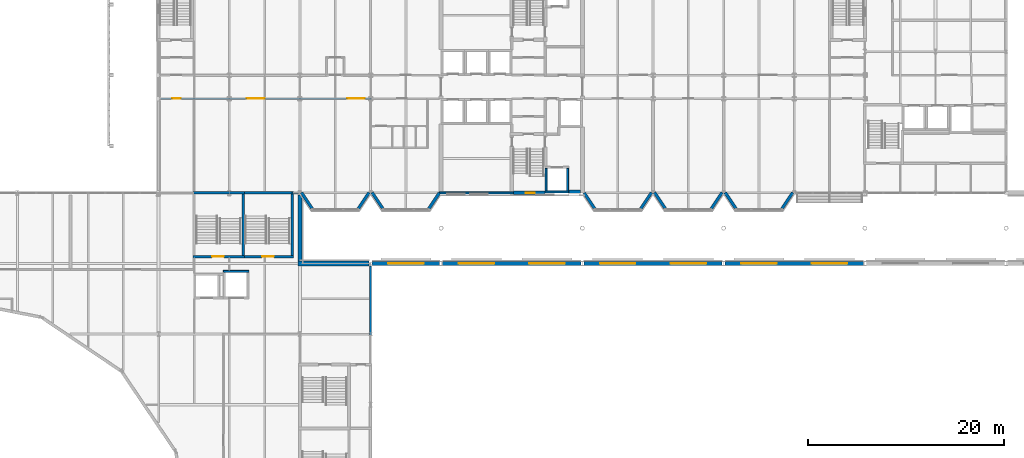
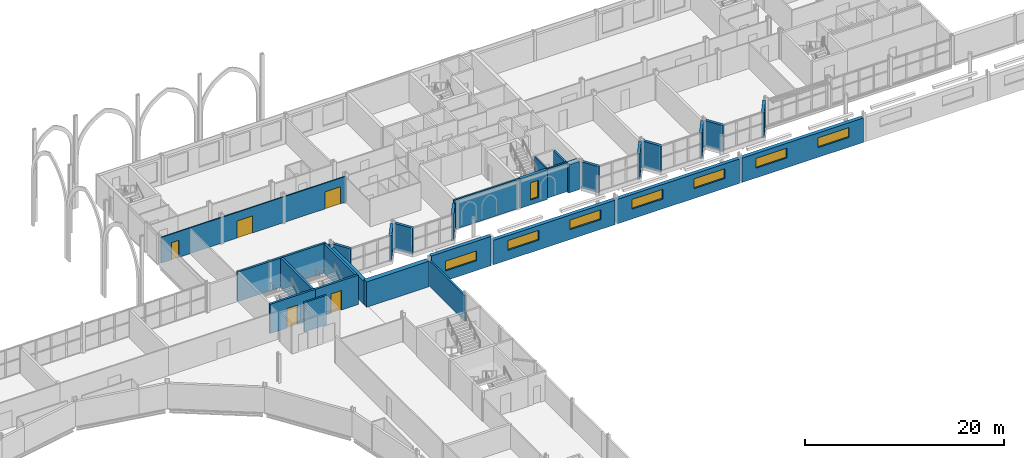
# One storey, part 73 of 124: 32 walls, 8 windows, 5 doors, 13 openings.
"""IFC4 building model written with IfcOpenShell, lengths in metres."""

from ifc_helpers import new_model, si_unit, direction, frame, frame_2d, origin, place, context, subcontext, project, spatial, rectangle, extrude, material, layer, layer_set, type_object, element, fill, save


model = new_model("IFC4")

# Units and contexts
model_context = context("Model", 3, precision=1e-05, world=origin(), true_north=direction((0.0, 1.0)))
body_context = subcontext(model_context, "Body", "Model", "MODEL_VIEW")
ifc_project = project(units=[si_unit("LENGTHUNIT", "METRE"), si_unit("AREAUNIT", "SQUARE_METRE"), si_unit("VOLUMEUNIT", "CUBIC_METRE"), si_unit("PLANEANGLEUNIT", "RADIAN"), si_unit("MASSUNIT", "GRAM", prefix="KILO")], contexts=[model_context])

# Site, building, storey
site_placement = place(None, origin())
site = spatial("IfcSite", under=ifc_project, at=site_placement, CompositionType="ELEMENT")
building_placement = place(site_placement, origin())
building = spatial("IfcBuilding", under=site, at=building_placement, Name="Kupolbacken Congress Centre", CompositionType="ELEMENT")
storey_placement = place(building_placement, frame((0.0, 0.0, 10.800048828125)))
storey = spatial("IfcBuildingStorey", under=building, at=storey_placement, Name="L03", CompositionType="ELEMENT", Elevation=10.800048828125)

# Walls
ifc_material_1 = material(Name="Limestone", Category="masonry")
ifc_layer_1 = layer(ifc_material_1, 0.06005859375)
ifc_material_2 = material(Name="Air cavity", Category="air")
ifc_layer_2 = layer(ifc_material_2, 0.0400390625, ventilated=True)
ifc_material_3 = material(Name="Mineral wool", Category="insulation")
ifc_layer_3 = layer(ifc_material_3, 0.14990234375)
ifc_material_4 = material(Name="Steel studs", Category="metal")
ifc_layer_4 = layer(ifc_material_4, 0.050048828125)
ifc_layer_set_1 = layer_set([ifc_layer_1, ifc_layer_2, ifc_layer_3, ifc_layer_4], Name="Limestone / Mineral wool / Steel studs")
wall_type_1 = type_object("IfcWallType", Name="EW01 external cavity wall 300", PredefinedType="SOLIDWALL", material=ifc_layer_set_1)
for number, where, z_axis, x_axis, name in (
    (1, (79.353515625, 122.440185546875, 0.0), (0.0, 0.0, 1.0), (0.554700196225, -0.832050294338, 0.0), "E/T/cumba/L03/S/003/facW"),
    (2, (86.24658203125, 122.440185546875, 0.0), (0.0, 0.0, 1.0), (-0.554700196225, -0.832050294338, 0.0), "E/T/cumba/L03/S/003/facE"),
    (3, (86.553466796875, 122.440185546875, 0.0), (0.0, 0.0, 1.0), (0.554700196225, -0.832050294338, 0.0), "E/T/cumba/L03/S/007/facW"),
):
    element("IfcWall", number, at=place(storey_placement, frame(where, z_axis=z_axis, x_axis=x_axis)), inside=storey, type_object=wall_type_1, Name=name, PredefinedType="SOLIDWALL", context=body_context, shape_type="SweptSolid", body=[
        extrude(rectangle(XDim=2.11181640625, YDim=0.300048828125, at=frame_2d((1.055908203125, 0.0))), origin(), (0.0, 0.0, 1.0), 3.219970703125),
    ])
for number, where, z_axis, x_axis, name in (
    (4, (93.419677734375, 122.39990234375, 0.0), (0.0, 0.0, 1.0), (-0.554700196225, -0.832050294338, 0.0), "E/T/cumba/L03/S/007/facE"),
    (5, (108.180419921875, 122.39990234375, 0.0), (0.0, 0.0, 1.0), (0.554618271946, -0.832104904699, 0.0), "E/T/cumba/L03/S/011/facW"),
):
    element("IfcWall", number, at=place(storey_placement, frame(where, z_axis=z_axis, x_axis=x_axis)), inside=storey, type_object=wall_type_1, Name=name, PredefinedType="SOLIDWALL", context=body_context, shape_type="SweptSolid", body=[
        extrude(rectangle(XDim=2.063232421875, YDim=0.300048828125, at=frame_2d((1.03173828125, 0.0))), origin(), (0.0, 0.0, 1.0), 3.219970703125),
    ])
wall_1_placement = place(storey_placement, frame((115.04638671875, 122.440185546875, 0.0), z_axis=(0.0, 0.0, 1.0), x_axis=(-0.554620150341, -0.8321036527, 0.0)))
element("IfcWall", 6, at=wall_1_placement, inside=storey, type_object=wall_type_1, Name="E/T/cumba/L03/S/011/facE", PredefinedType="SOLIDWALL", context=body_context, shape_type="SweptSolid", body=[
    extrude(rectangle(XDim=2.111572265625, YDim=0.300048828125, at=frame_2d((1.0556640625, 0.0))), origin(), (0.0, 0.0, 1.0), 3.219970703125),
])
for number, where, z_axis, x_axis, name in (
    (7, (115.353515625, 122.440185546875, 0.0), (0.0, 0.0, 1.0), (0.554700196225, -0.832050294338, 0.0), "E/T/cumba/L03/S/015/facW"),
    (8, (122.24658203125, 122.440185546875, 0.0), (0.0, 0.0, 1.0), (-0.554700196225, -0.832050294338, 0.0), "E/T/cumba/L03/S/015/facE"),
    (9, (122.553466796875, 122.440185546875, 0.0), (0.0, 0.0, 1.0), (0.554700196225, -0.832050294338, 0.0), "E/T/cumba/L03/S/019/facW"),
    (10, (129.446533203125, 122.440185546875, 0.0), (0.0, 0.0, 1.0), (-0.554700196225, -0.832050294338, 0.0), "E/T/cumba/L03/S/019/facE"),
):
    element("IfcWall", number, at=place(storey_placement, frame(where, z_axis=z_axis, x_axis=x_axis)), inside=storey, type_object=wall_type_1, Name=name, PredefinedType="SOLIDWALL", context=body_context, shape_type="SweptSolid", body=[
        extrude(rectangle(XDim=2.11181640625, YDim=0.300048828125, at=frame_2d((1.055908203125, 0.0))), origin(), (0.0, 0.0, 1.0), 3.219970703125),
    ])

# Wall, openings, windows
ifc_material_5 = material(Name="Brick", Category="masonry")
ifc_layer_5 = layer(ifc_material_5, 0.10791015625)
ifc_layer_6 = layer(ifc_material_2, 0.0400390625, ventilated=True)
ifc_layer_7 = layer(ifc_material_3, 0.152099609375)
ifc_material_6 = material(Name="Concrete block", Category="masonry")
ifc_layer_8 = layer(ifc_material_6, 0.1201171875)
ifc_layer_set_2 = layer_set([ifc_layer_5, ifc_layer_6, ifc_layer_7, ifc_layer_8], Name="Brick / Mineral wool / Concrete block")
wall_type_2 = type_object("IfcWallType", Name="EW04 external cavity wall 420", PredefinedType="SOLIDWALL", material=ifc_layer_set_2)
wall_2_placement = place(storey_placement, frame((136.64990234375, 115.199951171875, 0.0), z_axis=(0.0, 0.0, 1.0), x_axis=(-1.0, 0.0, 0.0)))
wall_2 = element("IfcWall", 11, at=wall_2_placement, inside=storey, type_object=wall_type_2, Name="E/H/N/L03/358", PredefinedType="SOLIDWALL", context=body_context, shape_type="SweptSolid", body=[
    extrude(rectangle(XDim=14.099853515625, YDim=0.419921875, at=frame_2d((7.0498046875, 0.0))), origin(), (0.0, 0.0, 1.0), 2.9990234375),
])
opening_1_placement = place(wall_2_placement, frame((8.85009765625, 0.0, 1.199951171875)))
opening_1 = element("IfcOpeningElement", 12, at=opening_1_placement, cuts=wall_2, Name="Opening W12", PredefinedType="OPENING", context=body_context, shape_type="SweptSolid", body=[
    extrude(rectangle(XDim=3.60009765625, YDim=1.199951171875, at=frame_2d((1.800048828125, 0.60009765625))), frame((0.0, 0.219970703125, 0.0), z_axis=(0.0, -1.0, 0.0), x_axis=(1.0, 0.0, 0.0)), (0.0, 0.0, 1.0), 0.43994140625),
])
opening_2_placement = place(wall_2_placement, frame((1.64990234375, 0.0, 1.199951171875)))
opening_2 = element("IfcOpeningElement", 13, at=opening_2_placement, cuts=wall_2, Name="Opening W12", PredefinedType="OPENING", context=body_context, shape_type="SweptSolid", body=[
    extrude(rectangle(XDim=3.60009765625, YDim=1.199951171875, at=frame_2d((1.800048828125, 0.60009765625))), frame((0.0, 0.219970703125, 0.0), z_axis=(0.0, -1.0, 0.0), x_axis=(1.0, 0.0, 0.0)), (0.0, 0.0, 1.0), 0.43994140625),
])
ifc_material_7 = material(Name="Aluminium frame with double or triple glazing", Category="aluminium")
window_type_1 = type_object("IfcWindowType", Name="W12 window 3600x1200", PartitioningType="TRIPLE_PANEL_VERTICAL", PredefinedType="WINDOW", material=ifc_material_7)
window_1_placement = place(opening_1_placement, origin())
window_1 = element("IfcWindow", 14, at=window_1_placement, inside=storey, type_object=window_type_1, Name="E/H/N/L03/358/W1", OverallHeight=1.199951171875, OverallWidth=3.60009765625, PartitioningType="SINGLE_PANEL", PredefinedType="WINDOW", context=body_context, shape_type="SweptSolid", body=[
    extrude(rectangle(XDim=3.60009765625, YDim=1.199951171875, at=frame_2d((1.800048828125, 0.60009765625))), frame((0.0, 0.030029296875, 0.0), z_axis=(0.0, -1.0, 0.0), x_axis=(1.0, 0.0, 0.0)), (0.0, 0.0, 1.0), 0.06005859375),
])
fill(opening_1, window_1)
window_2_placement = place(opening_2_placement, origin())
window_2 = element("IfcWindow", 15, at=window_2_placement, inside=storey, type_object=window_type_1, Name="E/H/N/L03/358/W2", OverallHeight=1.199951171875, OverallWidth=3.60009765625, PartitioningType="SINGLE_PANEL", PredefinedType="WINDOW", context=body_context, shape_type="SweptSolid", body=[
    extrude(rectangle(XDim=3.60009765625, YDim=1.199951171875, at=frame_2d((1.800048828125, 0.60009765625))), frame((0.0, 0.030029296875, 0.0), z_axis=(0.0, -1.0, 0.0), x_axis=(1.0, 0.0, 0.0)), (0.0, 0.0, 1.0), 0.06005859375),
])
fill(opening_2, window_2)

wall_3_placement = place(storey_placement, frame((122.25, 115.199951171875, 0.0), z_axis=(0.0, 0.0, 1.0), x_axis=(-1.0, 0.0, 0.0)))
wall_3 = element("IfcWall", 16, at=wall_3_placement, inside=storey, type_object=wall_type_2, Name="E/H/N/L03/359", PredefinedType="SOLIDWALL", context=body_context, shape_type="SweptSolid", body=[
    extrude(rectangle(XDim=14.10009765625, YDim=0.419921875, at=frame_2d((7.050048828125, 0.0))), origin(), (0.0, 0.0, 1.0), 2.9990234375),
])
opening_3_placement = place(wall_3_placement, frame((8.85009765625, 0.0, 1.199951171875)))
opening_3 = element("IfcOpeningElement", 17, at=opening_3_placement, cuts=wall_3, Name="Opening W12", PredefinedType="OPENING", context=body_context, shape_type="SweptSolid", body=[
    extrude(rectangle(XDim=3.60009765625, YDim=1.199951171875, at=frame_2d((1.800048828125, 0.60009765625))), frame((0.0, 0.219970703125, 0.0), z_axis=(0.0, -1.0, 0.0), x_axis=(1.0, 0.0, 0.0)), (0.0, 0.0, 1.0), 0.43994140625),
])
opening_4_placement = place(wall_3_placement, frame((1.64990234375, 0.0, 1.199951171875)))
opening_4 = element("IfcOpeningElement", 18, at=opening_4_placement, cuts=wall_3, Name="Opening W12", PredefinedType="OPENING", context=body_context, shape_type="SweptSolid", body=[
    extrude(rectangle(XDim=3.60009765625, YDim=1.199951171875, at=frame_2d((1.800048828125, 0.60009765625))), frame((0.0, 0.219970703125, 0.0), z_axis=(0.0, -1.0, 0.0), x_axis=(1.0, 0.0, 0.0)), (0.0, 0.0, 1.0), 0.43994140625),
])
window_3_placement = place(opening_3_placement, origin())
window_3 = element("IfcWindow", 19, at=window_3_placement, inside=storey, type_object=window_type_1, Name="E/H/N/L03/359/W1", OverallHeight=1.199951171875, OverallWidth=3.60009765625, PartitioningType="SINGLE_PANEL", PredefinedType="WINDOW", context=body_context, shape_type="SweptSolid", body=[
    extrude(rectangle(XDim=3.60009765625, YDim=1.199951171875, at=frame_2d((1.800048828125, 0.60009765625))), frame((0.0, 0.030029296875, 0.0), z_axis=(0.0, -1.0, 0.0), x_axis=(1.0, 0.0, 0.0)), (0.0, 0.0, 1.0), 0.06005859375),
])
fill(opening_3, window_3)
window_4_placement = place(opening_4_placement, origin())
window_4 = element("IfcWindow", 20, at=window_4_placement, inside=storey, type_object=window_type_1, Name="E/H/N/L03/359/W2", OverallHeight=1.199951171875, OverallWidth=3.60009765625, PartitioningType="SINGLE_PANEL", PredefinedType="WINDOW", context=body_context, shape_type="SweptSolid", body=[
    extrude(rectangle(XDim=3.60009765625, YDim=1.199951171875, at=frame_2d((1.800048828125, 0.60009765625))), frame((0.0, 0.030029296875, 0.0), z_axis=(0.0, -1.0, 0.0), x_axis=(1.0, 0.0, 0.0)), (0.0, 0.0, 1.0), 0.06005859375),
])
fill(opening_4, window_4)

wall_4_placement = place(storey_placement, frame((107.85009765625, 115.199951171875, 0.0), z_axis=(0.0, 0.0, 1.0), x_axis=(-1.0, 0.0, 0.0)))
wall_4 = element("IfcWall", 21, at=wall_4_placement, inside=storey, type_object=wall_type_2, Name="E/H/N/L03/360", PredefinedType="SOLIDWALL", context=body_context, shape_type="SweptSolid", body=[
    extrude(rectangle(XDim=14.10009765625, YDim=0.419921875, at=frame_2d((7.050048828125, 0.0))), origin(), (0.0, 0.0, 1.0), 2.9990234375),
])
opening_5_placement = place(wall_4_placement, frame((8.85009765625, 0.0, 1.199951171875)))
opening_5 = element("IfcOpeningElement", 22, at=opening_5_placement, cuts=wall_4, Name="Opening W12", PredefinedType="OPENING", context=body_context, shape_type="SweptSolid", body=[
    extrude(rectangle(XDim=3.60009765625, YDim=1.199951171875, at=frame_2d((1.800048828125, 0.60009765625))), frame((0.0, 0.219970703125, 0.0), z_axis=(0.0, -1.0, 0.0), x_axis=(1.0, 0.0, 0.0)), (0.0, 0.0, 1.0), 0.43994140625),
])
opening_6_placement = place(wall_4_placement, frame((1.64990234375, 0.0, 1.199951171875)))
opening_6 = element("IfcOpeningElement", 23, at=opening_6_placement, cuts=wall_4, Name="Opening W12", PredefinedType="OPENING", context=body_context, shape_type="SweptSolid", body=[
    extrude(rectangle(XDim=3.60009765625, YDim=1.199951171875, at=frame_2d((1.800048828125, 0.60009765625))), frame((0.0, 0.219970703125, 0.0), z_axis=(0.0, -1.0, 0.0), x_axis=(1.0, 0.0, 0.0)), (0.0, 0.0, 1.0), 0.43994140625),
])
window_5_placement = place(opening_5_placement, origin())
window_5 = element("IfcWindow", 24, at=window_5_placement, inside=storey, type_object=window_type_1, Name="E/H/N/L03/360/W1", OverallHeight=1.199951171875, OverallWidth=3.60009765625, PartitioningType="SINGLE_PANEL", PredefinedType="WINDOW", context=body_context, shape_type="SweptSolid", body=[
    extrude(rectangle(XDim=3.60009765625, YDim=1.199951171875, at=frame_2d((1.800048828125, 0.60009765625))), frame((0.0, 0.030029296875, 0.0), z_axis=(0.0, -1.0, 0.0), x_axis=(1.0, 0.0, 0.0)), (0.0, 0.0, 1.0), 0.06005859375),
])
fill(opening_5, window_5)
window_6_placement = place(opening_6_placement, origin())
window_6 = element("IfcWindow", 25, at=window_6_placement, inside=storey, type_object=window_type_1, Name="E/H/N/L03/360/W2", OverallHeight=1.199951171875, OverallWidth=3.60009765625, PartitioningType="SINGLE_PANEL", PredefinedType="WINDOW", context=body_context, shape_type="SweptSolid", body=[
    extrude(rectangle(XDim=3.60009765625, YDim=1.199951171875, at=frame_2d((1.800048828125, 0.60009765625))), frame((0.0, 0.030029296875, 0.0), z_axis=(0.0, -1.0, 0.0), x_axis=(1.0, 0.0, 0.0)), (0.0, 0.0, 1.0), 0.06005859375),
])
fill(opening_6, window_6)

# Wall, opening, window
wall_5_placement = place(storey_placement, frame((93.449951171875, 115.199951171875, 0.0), z_axis=(0.0, 0.0, 1.0), x_axis=(-1.0, 0.0, 0.0)))
wall_5 = element("IfcWall", 26, at=wall_5_placement, inside=storey, type_object=wall_type_2, Name="E/H/N/L03/361", PredefinedType="SOLIDWALL", context=body_context, shape_type="SweptSolid", body=[
    extrude(rectangle(XDim=6.89990234375, YDim=0.419921875, at=frame_2d((3.449951171875, 0.0))), origin(), (0.0, 0.0, 1.0), 3.599853515625),
])
opening_7_placement = place(wall_5_placement, frame((1.64990234375, 0.0, 1.199951171875)))
opening_7 = element("IfcOpeningElement", 27, at=opening_7_placement, cuts=wall_5, Name="Opening W12", PredefinedType="OPENING", context=body_context, shape_type="SweptSolid", body=[
    extrude(rectangle(XDim=3.60009765625, YDim=1.199951171875, at=frame_2d((1.800048828125, 0.60009765625))), frame((0.0, 0.219970703125, 0.0), z_axis=(0.0, -1.0, 0.0), x_axis=(1.0, 0.0, 0.0)), (0.0, 0.0, 1.0), 0.43994140625),
])
window_7_placement = place(opening_7_placement, origin())
window_7 = element("IfcWindow", 28, at=window_7_placement, inside=storey, type_object=window_type_1, Name="E/H/N/L03/361/W1", OverallHeight=1.199951171875, OverallWidth=3.60009765625, PartitioningType="SINGLE_PANEL", PredefinedType="WINDOW", context=body_context, shape_type="SweptSolid", body=[
    extrude(rectangle(XDim=3.60009765625, YDim=1.199951171875, at=frame_2d((1.800048828125, 0.60009765625))), frame((0.0, 0.030029296875, 0.0), z_axis=(0.0, -1.0, 0.0), x_axis=(1.0, 0.0, 0.0)), (0.0, 0.0, 1.0), 0.06005859375),
])
fill(opening_7, window_7)

# Walls
ifc_layer_9 = layer(ifc_material_1, 0.1201171875)
ifc_layer_10 = layer(ifc_material_2, 0.0400390625, ventilated=True)
ifc_layer_11 = layer(ifc_material_3, 0.159912109375)
ifc_layer_12 = layer(ifc_material_6, 0.1201171875)
ifc_layer_set_3 = layer_set([ifc_layer_9, ifc_layer_10, ifc_layer_11, ifc_layer_12], Name="Limestone / Mineral wool / Concrete block")
wall_type_3 = type_object("IfcWallType", Name="EW05 external cavity wall 440", PredefinedType="SOLIDWALL", material=ifc_layer_set_3)
wall_6_placement = place(storey_placement, frame((79.199951171875, 115.47998046875, 0.0), z_axis=(0.0, 0.0, 1.0), x_axis=(0.0, 1.0, 0.0)))
element("IfcWall", 29, at=wall_6_placement, inside=storey, type_object=wall_type_3, Name="E/P/E/L03/373", PredefinedType="SOLIDWALL", context=body_context, shape_type="SweptSolid", body=[
    extrude(rectangle(XDim=6.7041015625, YDim=0.43994140625, at=frame_2d((3.35205078125, 0.0))), origin(), (0.0, 0.0, 1.0), 2.820068359375),
])
ifc_material_8 = material(Name="Concrete C40/50", Category="concrete")
ifc_layer_13 = layer(ifc_material_8, 0.199951171875)
ifc_layer_14 = layer(ifc_material_3, 0.199951171875)
ifc_layer_15 = layer(ifc_material_2, 0.0400390625, ventilated=True)
ifc_layer_16 = layer(ifc_material_1, 0.1201171875)
ifc_layer_set_4 = layer_set([ifc_layer_13, ifc_layer_14, ifc_layer_15, ifc_layer_16], Name="Concrete C40/50 / Mineral wool / Limestone")
wall_type_4 = type_object("IfcWallType", Name="EW09 external cavity wall 560", PredefinedType="SOLIDWALL", material=ifc_layer_set_4)
wall_7_placement = place(storey_placement, frame((86.25, 115.199951171875, 0.0), z_axis=(0.0, 0.0, 1.0), x_axis=(-1.0, 0.0, 0.0)))
element("IfcWall", 30, at=wall_7_placement, inside=storey, type_object=wall_type_4, Name="E/LINK/N/L03/371", PredefinedType="SOLIDWALL", context=body_context, shape_type="SweptSolid", body=[
    extrude(rectangle(XDim=7.27001953125, YDim=0.56005859375, at=frame_2d((3.635009765625, 0.0))), origin(), (0.0, 0.0, 1.0), 3.119873046875),
])
ifc_layer_17 = layer(ifc_material_8, 0.35009765625)
ifc_layer_18 = layer(ifc_material_3, 0.1220703125)
ifc_layer_19 = layer(ifc_material_2, 0.0400390625, ventilated=True)
ifc_layer_20 = layer(ifc_material_5, 0.10791015625)
ifc_layer_set_5 = layer_set([ifc_layer_17, ifc_layer_18, ifc_layer_19, ifc_layer_20], Name="Concrete C40/50 / Mineral wool / Brick")
wall_type_5 = type_object("IfcWallType", Name="EW10 external cavity wall 620", PredefinedType="SOLIDWALL", material=ifc_layer_set_5)
wall_8_placement = place(storey_placement, frame((106.60009765625, 122.39990234375, 0.0), z_axis=(0.0, 0.0, 1.0), x_axis=(1.0, 0.0, 0.0)))
element("IfcWall", 31, at=wall_8_placement, inside=storey, type_object=wall_type_5, Name="E/T/S/L03/042", PredefinedType="SOLIDWALL", context=body_context, shape_type="SweptSolid", body=[
    extrude(rectangle(XDim=1.199951171875, YDim=0.6201171875, at=frame_2d((0.60009765625, 0.0))), origin(), (0.0, 0.0, 1.0), 3.4599609375),
])

# Wall, openings, doors
ifc_material_9 = material(Name="Gypsum board", Category="drywall")
ifc_layer_21 = layer(ifc_material_9, 0.135009765625)
ifc_layer_set_6 = layer_set([ifc_layer_21], Name="Gypsum board")
wall_type_6 = type_object("IfcWallType", Name="P06 compartment wall 135", PredefinedType="PARTITIONING", material=ifc_layer_set_6)
wall_9_placement = place(storey_placement, frame((64.989990234375, 132.0, 0.0), z_axis=(0.0, 0.0, 1.0), x_axis=(1.0, 0.0, 0.0)))
wall_9 = element("IfcWall", 32, at=wall_9_placement, inside=storey, type_object=wall_type_6, Name="T/wall/L03/x/13200/6480", PredefinedType="PARTITIONING", context=body_context, shape_type="SweptSolid", body=[
    extrude(rectangle(XDim=21.467529296875, YDim=0.135009765625, at=frame_2d((10.73388671875, 0.0))), origin(), (0.0, 0.0, 1.0), 3.158935546875),
])
opening_8_placement = place(wall_9_placement, frame((1.18505859375, 0.0, 0.0)))
opening_8 = element("IfcOpeningElement", 33, at=opening_8_placement, cuts=wall_9, Name="Opening D3", PredefinedType="OPENING", context=body_context, shape_type="SweptSolid", body=[
    extrude(rectangle(XDim=0.85009765625, YDim=2.10009765625, at=frame_2d((0.425048828125, 1.050048828125))), frame((0.0, 0.077392578125, 0.0), z_axis=(0.0, -1.0, 0.0), x_axis=(1.0, 0.0, 0.0)), (0.0, 0.0, 1.0), 0.155029296875),
])
opening_9_placement = place(wall_9_placement, frame((8.81005859375, 0.0, 0.0)))
opening_9 = element("IfcOpeningElement", 34, at=opening_9_placement, cuts=wall_9, Name="Opening D14", PredefinedType="OPENING", context=body_context, shape_type="SweptSolid", body=[
    extrude(rectangle(XDim=1.800048828125, YDim=2.10009765625, at=frame_2d((0.89990234375, 1.050048828125))), frame((0.0, 0.077392578125, 0.0), z_axis=(0.0, -1.0, 0.0), x_axis=(1.0, 0.0, 0.0)), (0.0, 0.0, 1.0), 0.155029296875),
])
opening_10_placement = place(wall_9_placement, frame((19.010009765625, 0.0, 0.0)))
opening_10 = element("IfcOpeningElement", 35, at=opening_10_placement, cuts=wall_9, Name="Opening D14", PredefinedType="OPENING", context=body_context, shape_type="SweptSolid", body=[
    extrude(rectangle(XDim=1.800048828125, YDim=2.10009765625, at=frame_2d((0.89990234375, 1.050048828125))), frame((0.0, 0.077392578125, 0.0), z_axis=(0.0, -1.0, 0.0), x_axis=(1.0, 0.0, 0.0)), (0.0, 0.0, 1.0), 0.155029296875),
])
ifc_material_10 = material(Name="Steel fire door leaf", Category="steel")
door_type_1 = type_object("IfcDoorType", Name="D14 fire door 1800x2100", OperationType="DOUBLE_DOOR_SINGLE_SWING", PredefinedType="DOOR", material=ifc_material_10)
door_1_placement = place(opening_9_placement, origin())
door_1 = element("IfcDoor", 36, at=door_1_placement, inside=storey, type_object=door_type_1, Name="T/wall/L03/x/13200/6480/D-REST-S1", OperationType="DOUBLE_DOOR_SINGLE_SWING", OverallHeight=2.10009765625, OverallWidth=1.800048828125, PredefinedType="DOOR", context=body_context, shape_type="SweptSolid", body=[
    extrude(rectangle(XDim=1.800048828125, YDim=2.10009765625, at=frame_2d((0.89990234375, 1.050048828125))), frame((0.0, 0.02490234375, 0.0), z_axis=(0.0, -1.0, 0.0), x_axis=(1.0, 0.0, 0.0)), (0.0, 0.0, 1.0), 0.050048828125),
])
fill(opening_9, door_1)
door_2_placement = place(opening_10_placement, origin())
door_2 = element("IfcDoor", 37, at=door_2_placement, inside=storey, type_object=door_type_1, Name="T/wall/L03/x/13200/6480/D-REST-S2", OperationType="DOUBLE_DOOR_SINGLE_SWING", OverallHeight=2.10009765625, OverallWidth=1.800048828125, PredefinedType="DOOR", context=body_context, shape_type="SweptSolid", body=[
    extrude(rectangle(XDim=1.800048828125, YDim=2.10009765625, at=frame_2d((0.89990234375, 1.050048828125))), frame((0.0, 0.02490234375, 0.0), z_axis=(0.0, -1.0, 0.0), x_axis=(1.0, 0.0, 0.0)), (0.0, 0.0, 1.0), 0.050048828125),
])
fill(opening_10, door_2)
ifc_material_11 = material(Name="Steel fire door leaf", Category="steel")
door_type_2 = type_object("IfcDoorType", Name="D3 fire door 850x2100", OperationType="SINGLE_SWING_LEFT", PredefinedType="DOOR", material=ifc_material_11)
door_3_placement = place(opening_8_placement, frame((0.85009765625, 0.0, 0.0), z_axis=(0.0, 0.0, 1.0), x_axis=(-1.0, 0.0, 0.0)))
door_3 = element("IfcDoor", 38, at=door_3_placement, inside=storey, type_object=door_type_2, Name="T/wall/L03/x/13200/6480/D-WE-D", OperationType="SINGLE_SWING_LEFT", OverallHeight=2.10009765625, OverallWidth=0.85009765625, PredefinedType="DOOR", context=body_context, shape_type="SweptSolid", body=[
    extrude(rectangle(XDim=0.85009765625, YDim=2.10009765625, at=frame_2d((0.425048828125, 1.050048828125))), frame((0.0, 0.02490234375, 0.0), z_axis=(0.0, -1.0, 0.0), x_axis=(1.0, 0.0, 0.0)), (0.0, 0.0, 1.0), 0.050048828125),
])
fill(opening_8, door_3)

# Walls
ifc_material_12 = material(Name="Gypsum board", Category="drywall")
ifc_layer_22 = layer(ifc_material_12, 0.22509765625)
ifc_layer_set_7 = layer_set([ifc_layer_22], Name="Gypsum board")
wall_type_7 = type_object("IfcWallType", Name="P11 compartment wall 225", PredefinedType="PARTITIONING", material=ifc_layer_set_7)
wall_10_placement = place(storey_placement, frame((78.39990234375, 122.39990234375, 0.0), z_axis=(0.0, 0.0, 1.0), x_axis=(1.0, 0.0, 0.0)))
element("IfcWall", 39, at=wall_10_placement, inside=storey, type_object=wall_type_7, Name="E/T/party/L03/08", PredefinedType="PARTITIONING", context=body_context, shape_type="SweptSolid", body=[
    extrude(rectangle(XDim=0.646484375, YDim=0.22509765625, at=frame_2d((0.3232421875, 0.0))), origin(), (0.0, 0.0, 1.0), 3.219970703125),
])
ifc_material_13 = material(Name="Dense concrete block", Category="masonry")
ifc_layer_23 = layer(ifc_material_13, 0.215087890625)
ifc_layer_set_8 = layer_set([ifc_layer_23], Name="Dense concrete block")
wall_type_8 = type_object("IfcWallType", Name="P15 partition 215", PredefinedType="PARTITIONING", material=ifc_layer_set_8)
wall_11_placement = place(storey_placement, frame((86.39990234375, 107.85498046875, 0.0), z_axis=(0.0, 0.0, 1.0), x_axis=(0.0, 1.0, 0.0)))
element("IfcWall", 40, at=wall_11_placement, inside=storey, type_object=wall_type_8, Name="PD/L03/W017.h1", PredefinedType="PARTITIONING", context=body_context, shape_type="SweptSolid", body=[
    extrude(rectangle(XDim=7.06494140625, YDim=0.215087890625, at=frame_2d((3.532470703125, 0.0))), origin(), (0.0, 0.0, 1.0), 3.119873046875),
])
ifc_material_14 = material(Name="Concrete C40/50", Category="concrete")
ifc_layer_24 = layer(ifc_material_14, 0.199951171875)
ifc_layer_set_9 = layer_set([ifc_layer_24], Name="Concrete C40/50")
wall_type_9 = type_object("IfcWallType", Name="WC1 RC shaft wall 200", PredefinedType="SHEAR", material=ifc_layer_set_9)
wall_12_placement = place(storey_placement, frame((93.39990234375, 122.39990234375, 0.0), z_axis=(0.0, 0.0, 1.0), x_axis=(1.0, 0.0, 0.0)))
element("IfcWall", 41, at=wall_12_placement, inside=storey, type_object=wall_type_9, Name="Shaft wall L03-078", PredefinedType="SHEAR", context=body_context, shape_type="SweptSolid", body=[
    extrude(rectangle(XDim=7.5751953125, YDim=0.199951171875, at=frame_2d((3.78759765625, 0.0))), origin(), (0.0, 0.0, 1.0), 3.599853515625),
])
wall_13_placement = place(storey_placement, frame((71.39990234375, 114.39990234375, 0.0), z_axis=(0.0, 0.0, 1.0), x_axis=(1.0, 0.0, 0.0)))
element("IfcWall", 42, at=wall_13_placement, inside=storey, type_object=wall_type_9, Name="Shaft wall LG2", PredefinedType="SHEAR", context=body_context, shape_type="SweptSolid", body=[
    extrude(rectangle(XDim=2.60009765625, YDim=0.199951171875, at=frame_2d((1.300048828125, 0.0))), origin(), (0.0, 0.0, 1.0), 3.599853515625),
])
wall_14_placement = place(storey_placement, frame((104.199951171875, 122.5, 0.0), z_axis=(0.0, 0.0, 1.0), x_axis=(1.0, 0.0, 0.0)))
element("IfcWall", 43, at=wall_14_placement, inside=storey, type_object=wall_type_9, Name="Shaft wall LF1", PredefinedType="SHEAR", context=body_context, shape_type="SweptSolid", body=[
    extrude(rectangle(XDim=2.400146484375, YDim=0.199951171875, at=frame_2d((1.2001953125, 0.0))), origin(), (0.0, 0.0, 1.0), 3.599853515625),
])
for number, where, z_axis, x_axis, name in (
    (44, (104.300048828125, 122.60009765625, 0.0), (0.0, 0.0, 1.0), (0.0, 1.0, 0.0), "Shaft wall LF1"),
    (45, (106.5, 122.60009765625, 0.0), (0.0, 0.0, 1.0), (0.0, 1.0, 0.0), "Shaft wall LF1"),
):
    element("IfcWall", number, at=place(storey_placement, frame(where, z_axis=z_axis, x_axis=x_axis)), inside=storey, type_object=wall_type_9, Name=name, PredefinedType="SHEAR", context=body_context, shape_type="SweptSolid", body=[
        extrude(rectangle(XDim=2.2998046875, YDim=0.199951171875, at=frame_2d((1.14990234375, 0.0))), origin(), (0.0, 0.0, 1.0), 3.599853515625),
    ])

# Wall, opening, door
ifc_material_15 = material(Name="Concrete C40/50", Category="concrete")
ifc_layer_25 = layer(ifc_material_15, 0.25)
ifc_layer_set_10 = layer_set([ifc_layer_25], Name="Concrete C40/50")
wall_type_10 = type_object("IfcWallType", Name="WC2 RC stair enclosure wall 250", PredefinedType="SHEAR", material=ifc_layer_set_10)
wall_15_placement = place(storey_placement, frame((68.27490234375, 115.89990234375, 0.0), z_axis=(0.0, 0.0, 1.0), x_axis=(1.0, 0.0, 0.0)))
wall_15 = element("IfcWall", 46, at=wall_15_placement, inside=storey, type_object=wall_type_10, Name="Stair enclosure wall L03-068", PredefinedType="SHEAR", context=body_context, shape_type="SweptSolid", body=[
    extrude(rectangle(XDim=5.25, YDim=0.25, at=frame_2d((2.625, 0.0))), origin(), (0.0, 0.0, 1.0), 3.599853515625),
])
opening_11_placement = place(wall_15_placement, frame((1.97509765625, 0.0, 0.0)))
opening_11 = element("IfcOpeningElement", 47, at=opening_11_placement, cuts=wall_15, Name="Opening 3.P07", PredefinedType="OPENING", context=body_context, shape_type="SweptSolid", body=[
    extrude(rectangle(XDim=1.199951171875, YDim=2.39990234375, at=frame_2d((0.60009765625, 1.199951171875))), frame((0.0, 0.135009765625, 0.0), z_axis=(0.0, -1.0, 0.0), x_axis=(1.0, 0.0, 0.0)), (0.0, 0.0, 1.0), 0.27001953125),
])
ifc_material_16 = material(Name="Steel fire door leaf", Category="steel")
door_type_3 = type_object("IfcDoorType", Name="D9 fire door 1200x2400", OperationType="SINGLE_SWING_LEFT", PredefinedType="DOOR", material=ifc_material_16)
door_4_placement = place(opening_11_placement, origin())
door_4 = element("IfcDoor", 48, at=door_4_placement, inside=storey, type_object=door_type_3, Name="S/core/L03/068/D3P07", OperationType="SINGLE_SWING_RIGHT", OverallHeight=2.39990234375, OverallWidth=1.199951171875, PredefinedType="DOOR", context=body_context, shape_type="SweptSolid", body=[
    extrude(rectangle(XDim=1.199951171875, YDim=2.39990234375, at=frame_2d((0.60009765625, 1.199951171875))), frame((0.0, 0.02490234375, 0.0), z_axis=(0.0, -1.0, 0.0), x_axis=(1.0, 0.0, 0.0)), (0.0, 0.0, 1.0), 0.050048828125),
])
fill(opening_11, door_4)

wall_16_placement = place(storey_placement, frame((73.52490234375, 115.89990234375, 0.0), z_axis=(0.0, 0.0, 1.0), x_axis=(1.0, 0.0, 0.0)))
wall_16 = element("IfcWall", 49, at=wall_16_placement, inside=storey, type_object=wall_type_10, Name="Stair enclosure wall L03-069", PredefinedType="SHEAR", context=body_context, shape_type="SweptSolid", body=[
    extrude(rectangle(XDim=5.0, YDim=0.25, at=frame_2d((2.5, 0.0))), origin(), (0.0, 0.0, 1.0), 3.599853515625),
])
opening_12_placement = place(wall_16_placement, frame((1.824951171875, 0.0, 0.0)))
opening_12 = element("IfcOpeningElement", 50, at=opening_12_placement, cuts=wall_16, Name="Opening 3.P08", PredefinedType="OPENING", context=body_context, shape_type="SweptSolid", body=[
    extrude(rectangle(XDim=1.199951171875, YDim=2.39990234375, at=frame_2d((0.60009765625, 1.199951171875))), frame((0.0, 0.135009765625, 0.0), z_axis=(0.0, -1.0, 0.0), x_axis=(1.0, 0.0, 0.0)), (0.0, 0.0, 1.0), 0.27001953125),
])
door_5_placement = place(opening_12_placement, origin())
door_5 = element("IfcDoor", 51, at=door_5_placement, inside=storey, type_object=door_type_3, Name="S/core/L03/069/D3P08", OperationType="SINGLE_SWING_LEFT", OverallHeight=2.39990234375, OverallWidth=1.199951171875, PredefinedType="DOOR", context=body_context, shape_type="SweptSolid", body=[
    extrude(rectangle(XDim=1.199951171875, YDim=2.39990234375, at=frame_2d((0.60009765625, 1.199951171875))), frame((0.0, 0.02490234375, 0.0), z_axis=(0.0, -1.0, 0.0), x_axis=(1.0, 0.0, 0.0)), (0.0, 0.0, 1.0), 0.050048828125),
])
fill(opening_12, door_5)

# Walls
for number, where, z_axis, x_axis, name in (
    (52, (73.39990234375, 115.77490234375, 0.0), (0.0, 0.0, 1.0), (0.0, 1.0, 0.0), "Stair enclosure wall L03-070"),
    (53, (78.39990234375, 115.77490234375, 0.0), (0.0, 0.0, 1.0), (0.0, 1.0, 0.0), "Stair enclosure wall L03-071"),
):
    element("IfcWall", number, at=place(storey_placement, frame(where, z_axis=z_axis, x_axis=x_axis)), inside=storey, type_object=wall_type_10, Name=name, PredefinedType="SHEAR", context=body_context, shape_type="SweptSolid", body=[
        extrude(rectangle(XDim=6.75, YDim=0.25, at=frame_2d((3.375, 0.0))), origin(), (0.0, 0.0, 1.0), 3.599853515625),
    ])
wall_17_placement = place(storey_placement, frame((73.52490234375, 122.39990234375, 0.0), z_axis=(0.0, 0.0, 1.0), x_axis=(-1.0, 0.0, 0.0)))
element("IfcWall", 54, at=wall_17_placement, inside=storey, type_object=wall_type_10, Name="Stair enclosure wall L03-076", PredefinedType="SHEAR", context=body_context, shape_type="SweptSolid", body=[
    extrude(rectangle(XDim=5.25, YDim=0.25, at=frame_2d((2.625, 0.0))), origin(), (0.0, 0.0, 1.0), 3.599853515625),
])
wall_18_placement = place(storey_placement, frame((78.52490234375, 122.39990234375, 0.0), z_axis=(0.0, 0.0, 1.0), x_axis=(-1.0, 0.0, 0.0)))
element("IfcWall", 55, at=wall_18_placement, inside=storey, type_object=wall_type_10, Name="Stair enclosure wall L03-077", PredefinedType="SHEAR", context=body_context, shape_type="SweptSolid", body=[
    extrude(rectangle(XDim=5.0, YDim=0.25, at=frame_2d((2.5, 0.0))), origin(), (0.0, 0.0, 1.0), 3.599853515625),
])

# Wall, opening, window
ifc_material_17 = material(Name="Concrete C40/50", Category="concrete")
ifc_layer_26 = layer(ifc_material_17, 0.35009765625)
ifc_layer_set_11 = layer_set([ifc_layer_26], Name="Concrete C40/50")
wall_type_11 = type_object("IfcWallType", Name="WC4 RC core wall 350", PredefinedType="SHEAR", material=ifc_layer_set_11)
wall_19_placement = place(storey_placement, frame((100.97509765625, 122.39990234375, 0.0), z_axis=(0.0, 0.0, 1.0), x_axis=(1.0, 0.0, 0.0)))
wall_19 = element("IfcWall", 56, at=wall_19_placement, inside=storey, type_object=wall_type_11, Name="Core wall L03-079", PredefinedType="SHEAR", context=body_context, shape_type="SweptSolid", body=[
    extrude(rectangle(XDim=3.224853515625, YDim=0.35009765625, at=frame_2d((1.6123046875, 0.0))), origin(), (0.0, 0.0, 1.0), 3.599853515625),
])
opening_13_placement = place(wall_19_placement, frame((1.25, 0.0, 0.60009765625)))
opening_13 = element("IfcOpeningElement", 57, at=opening_13_placement, cuts=wall_19, Name="Opening W28", PredefinedType="OPENING", context=body_context, shape_type="SweptSolid", body=[
    extrude(rectangle(XDim=0.89990234375, YDim=2.10009765625, at=frame_2d((0.449951171875, 1.050048828125))), frame((0.0, 0.18505859375, 0.0), z_axis=(0.0, -1.0, 0.0), x_axis=(1.0, 0.0, 0.0)), (0.0, 0.0, 1.0), 0.3701171875),
])
ifc_material_18 = material(Name="Aluminium frame with double or triple glazing", Category="aluminium")
window_type_2 = type_object("IfcWindowType", Name="W28 window 900x2100", PartitioningType="SINGLE_PANEL", PredefinedType="WINDOW", material=ifc_material_18)
window_8_placement = place(opening_13_placement, origin())
window_8 = element("IfcWindow", 58, at=window_8_placement, inside=storey, type_object=window_type_2, Name="S/core/L03/079/WW28", OverallHeight=2.10009765625, OverallWidth=0.89990234375, PartitioningType="SINGLE_PANEL", PredefinedType="WINDOW", context=body_context, shape_type="SweptSolid", body=[
    extrude(rectangle(XDim=0.89990234375, YDim=2.10009765625, at=frame_2d((0.449951171875, 1.050048828125))), frame((0.0, 0.030029296875, 0.0), z_axis=(0.0, -1.0, 0.0), x_axis=(1.0, 0.0, 0.0)), (0.0, 0.0, 1.0), 0.06005859375),
])
fill(opening_13, window_8)

save(model, "model.ifc")
